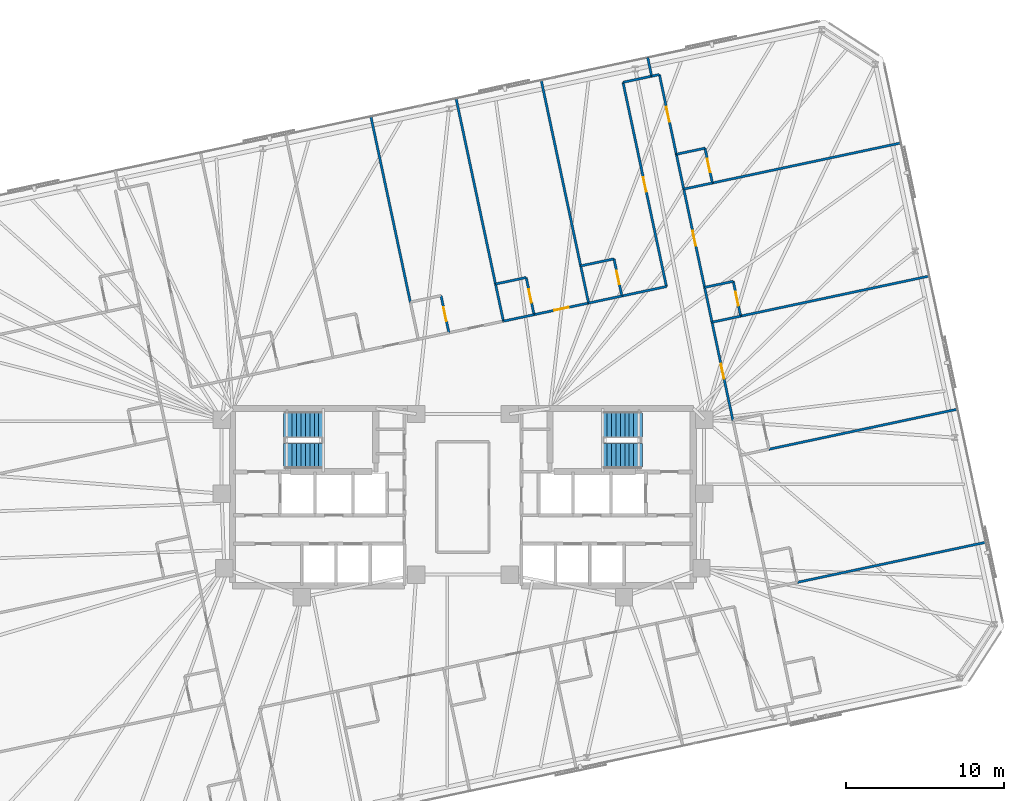
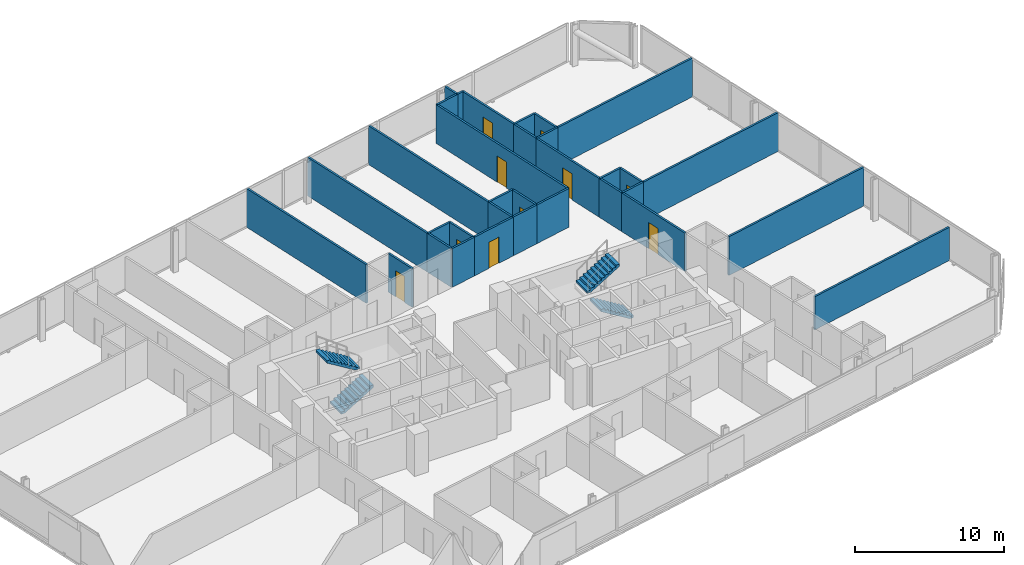
# One storey, part 18 of 20: 33 walls, 10 doors, 4 stair flights, 10 openings, 2 elements without a shape of their own.
"""IFC4 building model written with IfcOpenShell, lengths in metres."""

from ifc_helpers import new_model, si_unit, direction, frame, frame_2d, origin, place, context, subcontext, project, spatial, polyline, rectangle, outline, extrude, material, layer, layer_set, type_object, element, fill, aggregate, save


model = new_model("IFC4")

# Units and contexts
model_context = context("Model", 3, precision=1e-05, world=origin(), true_north=direction((0.0, 1.0)))
body_context = subcontext(model_context, "Body", "Model", "MODEL_VIEW")
ifc_project = project(units=[si_unit("LENGTHUNIT", "METRE"), si_unit("AREAUNIT", "SQUARE_METRE"), si_unit("VOLUMEUNIT", "CUBIC_METRE"), si_unit("PLANEANGLEUNIT", "RADIAN"), si_unit("MASSUNIT", "GRAM", prefix="KILO")], contexts=[model_context])

# Site, building, storey
site_placement = place(None, origin())
site = spatial("IfcSite", under=ifc_project, at=site_placement, CompositionType="ELEMENT")
building_placement = place(site_placement, origin())
building = spatial("IfcBuilding", under=site, at=building_placement, Name="Menara Jurai Vektor", CompositionType="ELEMENT")
storey_placement = place(building_placement, frame((0.0, 0.0, 178.60009765625)))
storey = spatial("IfcBuildingStorey", under=building, at=storey_placement, Name="L46", CompositionType="ELEMENT", Elevation=178.60009765625)

# Wall, opening, door
ifc_material_1 = material(Name="Gypsum Fireboard Partition", Category="gypsum")
ifc_layer_1 = layer(ifc_material_1, 0.14990234375)
ifc_layer_set_1 = layer_set([ifc_layer_1], Name="Gypsum Fireboard Partition")
wall_type_1 = type_object("IfcWallType", Name="INT-WALL-CORR-150", PredefinedType="PARTITIONING", material=ifc_layer_set_1)
wall_1_placement = place(storey_placement, frame((4.497802734375, 11.52978515625, 0.0), z_axis=(0.0, 0.0, 1.0), x_axis=(0.978135941404, 0.207966536089, 0.0)))
wall_1 = element("IfcWall", 1, at=wall_1_placement, inside=storey, type_object=wall_type_1, Name="Interior Wall IW-150 L46", PredefinedType="PARTITIONING", context=body_context, shape_type="SweptSolid", body=[
    extrude(rectangle(XDim=3.521728515625, YDim=0.14990234375, at=frame_2d((1.7607421875, 0.0))), origin(), (0.0, 0.0, 1.0), 3.1748046875),
])
opening_1_placement = place(wall_1_placement, frame((1.301025390625, 0.0, 0.0)))
opening_1 = element("IfcOpeningElement", 2, at=opening_1_placement, cuts=wall_1, Name="Opening D46-16", PredefinedType="OPENING", context=body_context, shape_type="SweptSolid", body=[
    extrude(rectangle(XDim=0.919921875, YDim=2.14990234375, at=frame_2d((0.4599609375, 1.074951171875))), frame((0.0, 0.0849609375, 0.0), z_axis=(0.0, -1.0, 0.0), x_axis=(1.0, 0.0, 0.0)), (0.0, 0.0, 1.0), 0.169921875),
])
ifc_material_2 = material(Name="Solid Core Timber Fire Door", Category="wood")
door_type_1 = type_object("IfcDoorType", Name="DR-ENTRY-950", OperationType="NOTDEFINED", PredefinedType="DOOR", material=ifc_material_2)
door_1_placement = place(opening_1_placement, origin())
door_1 = element("IfcDoor", 3, at=door_1_placement, inside=storey, type_object=door_type_1, Name="Interior Door D46-16", OperationType="SINGLE_SWING_LEFT", OverallHeight=2.14990234375, OverallWidth=0.919921875, PredefinedType="DOOR", context=body_context, shape_type="SweptSolid", body=[
    extrude(rectangle(XDim=0.919921875, YDim=2.14990234375, at=frame_2d((0.4599609375, 1.074951171875))), frame((0.0, 0.02490234375, 0.0), z_axis=(0.0, -1.0, 0.0), x_axis=(1.0, 0.0, 0.0)), (0.0, 0.0, 1.0), 0.050048828125),
])
fill(opening_1, door_1)

# Walls
wall_2_placement = place(storey_placement, frame((2.56005859375, 11.117919921875, 0.0), z_axis=(0.0, 0.0, 1.0), x_axis=(0.978149140323, 0.20790444749, 0.0)))
element("IfcWall", 4, at=wall_2_placement, inside=storey, type_object=wall_type_1, Name="Interior Wall IW-150 L46", PredefinedType="PARTITIONING", context=body_context, shape_type="SweptSolid", body=[
    extrude(rectangle(XDim=1.98095703125, YDim=0.14990234375, at=frame_2d((0.990478515625, 0.0))), origin(), (0.0, 0.0, 1.0), 3.1748046875),
])
wall_3_placement = place(storey_placement, frame((10.045654296875, 12.709228515625, 0.0), z_axis=(0.0, 0.0, 1.0), x_axis=(0.97816208355, 0.207843542851, 0.0)))
element("IfcWall", 5, at=wall_3_placement, inside=storey, type_object=wall_type_1, Name="Interior Wall IW-150 L46", PredefinedType="PARTITIONING", context=body_context, shape_type="SweptSolid", body=[
    extrude(rectangle(XDim=2.879150390625, YDim=0.14990234375, at=frame_2d((1.439453125, 0.0))), origin(), (0.0, 0.0, 1.0), 3.1748046875),
])

# Wall, opening, door
wall_4_placement = place(storey_placement, frame((12.86181640625, 13.3076171875, 0.0), z_axis=(0.0, 0.0, 1.0), x_axis=(-0.207911421929, 0.978147657888, 0.0)))
wall_4 = element("IfcWall", 6, at=wall_4_placement, inside=storey, type_object=wall_type_1, Name="Interior Wall IW-150 L46", PredefinedType="PARTITIONING", context=body_context, shape_type="SweptSolid", body=[
    extrude(rectangle(XDim=13.195068359375, YDim=0.14990234375, at=frame_2d((6.59765625, 0.0))), origin(), (0.0, 0.0, 1.0), 3.1748046875),
])
opening_2_placement = place(wall_4_placement, frame((6.137451171875, 0.0, 0.0)))
opening_2 = element("IfcOpeningElement", 7, at=opening_2_placement, cuts=wall_4, Name="Opening D46-18", PredefinedType="OPENING", context=body_context, shape_type="SweptSolid", body=[
    extrude(rectangle(XDim=0.919921875, YDim=2.14990234375, at=frame_2d((0.4599609375, 1.074951171875))), frame((0.0, 0.0849609375, 0.0), z_axis=(0.0, -1.0, 0.0), x_axis=(1.0, 0.0, 0.0)), (0.0, 0.0, 1.0), 0.169921875),
])
door_2_placement = place(opening_2_placement, origin())
door_2 = element("IfcDoor", 8, at=door_2_placement, inside=storey, type_object=door_type_1, Name="Interior Door D46-18", OperationType="SINGLE_SWING_LEFT", OverallHeight=2.14990234375, OverallWidth=0.919921875, PredefinedType="DOOR", context=body_context, shape_type="SweptSolid", body=[
    extrude(rectangle(XDim=0.919921875, YDim=2.14990234375, at=frame_2d((0.4599609375, 1.074951171875))), frame((0.0, 0.02490234375, 0.0), z_axis=(0.0, -1.0, 0.0), x_axis=(1.0, 0.0, 0.0)), (0.0, 0.0, 1.0), 0.050048828125),
])
fill(opening_2, door_2)

# Walls
wall_5_placement = place(storey_placement, frame((10.118408203125, 26.21435546875, 0.0), z_axis=(0.0, 0.0, 1.0), x_axis=(0.978133353907, 0.20797870558, 0.0)))
element("IfcWall", 9, at=wall_5_placement, inside=storey, type_object=wall_type_1, Name="Interior Wall IW-150 L46", PredefinedType="PARTITIONING", context=body_context, shape_type="SweptSolid", body=[
    extrude(rectangle(XDim=1.85009765625, YDim=0.14990234375, at=frame_2d((0.925048828125, 0.0))), origin(), (0.0, 0.0, 1.0), 3.1748046875),
])
wall_6_placement = place(storey_placement, frame((7.942626953125, 12.26220703125, 0.0), z_axis=(0.0, 0.0, 1.0), x_axis=(0.978146728319, 0.207915795165, 0.0)))
element("IfcWall", 10, at=wall_6_placement, inside=storey, type_object=wall_type_1, Name="Interior Wall IW-150 L46", PredefinedType="PARTITIONING", context=body_context, shape_type="SweptSolid", body=[
    extrude(rectangle(XDim=2.14990234375, YDim=0.14990234375, at=frame_2d((1.074951171875, 0.0))), origin(), (0.0, 0.0, 1.0), 3.1748046875),
])

# Wall, opening, door
wall_7_placement = place(storey_placement, frame((17.06396484375, 4.84130859375, 0.0), z_axis=(0.0, 0.0, 1.0), x_axis=(-0.207924511115, 0.978144875608, 0.0)))
wall_7 = element("IfcWall", 11, at=wall_7_placement, inside=storey, type_object=wall_type_1, Name="Interior Wall IW-150 L46", PredefinedType="PARTITIONING", context=body_context, shape_type="SweptSolid", body=[
    extrude(rectangle(XDim=6.349853515625, YDim=0.14990234375, at=frame_2d((3.1748046875, 0.0))), origin(), (0.0, 0.0, 1.0), 3.1748046875),
])
opening_3_placement = place(wall_7_placement, frame((2.699951171875, 0.0, 0.0)))
opening_3 = element("IfcOpeningElement", 12, at=opening_3_placement, cuts=wall_7, Name="Opening D46-43", PredefinedType="OPENING", context=body_context, shape_type="SweptSolid", body=[
    extrude(rectangle(XDim=0.949951171875, YDim=2.14990234375, at=frame_2d((0.47509765625, 1.074951171875))), frame((0.0, 0.0849609375, 0.0), z_axis=(0.0, -1.0, 0.0), x_axis=(1.0, 0.0, 0.0)), (0.0, 0.0, 1.0), 0.169921875),
])
door_3_placement = place(opening_3_placement, origin())
door_3 = element("IfcDoor", 13, at=door_3_placement, inside=storey, type_object=door_type_1, Name="Interior Door D46-43", OperationType="SINGLE_SWING_RIGHT", OverallHeight=2.14990234375, OverallWidth=0.949951171875, PredefinedType="DOOR", context=body_context, shape_type="SweptSolid", body=[
    extrude(rectangle(XDim=0.949951171875, YDim=2.14990234375, at=frame_2d((0.47509765625, 1.074951171875))), frame((0.0, 0.02490234375, 0.0), z_axis=(0.0, -1.0, 0.0), x_axis=(1.0, 0.0, 0.0)), (0.0, 0.0, 1.0), 0.050048828125),
])
fill(opening_3, door_3)

wall_8_placement = place(storey_placement, frame((15.27587890625, 13.25341796875, 0.0), z_axis=(0.0, 0.0, 1.0), x_axis=(-0.207924511115, 0.978144875608, 0.0)))
wall_8 = element("IfcWall", 14, at=wall_8_placement, inside=storey, type_object=wall_type_1, Name="Interior Wall IW-150 L46", PredefinedType="PARTITIONING", context=body_context, shape_type="SweptSolid", body=[
    extrude(rectangle(XDim=6.349853515625, YDim=0.14990234375, at=frame_2d((3.1748046875, 0.0))), origin(), (0.0, 0.0, 1.0), 3.1748046875),
])
opening_4_placement = place(wall_8_placement, frame((2.699951171875, 0.0, 0.0)))
opening_4 = element("IfcOpeningElement", 15, at=opening_4_placement, cuts=wall_8, Name="Opening D46-45", PredefinedType="OPENING", context=body_context, shape_type="SweptSolid", body=[
    extrude(rectangle(XDim=0.949951171875, YDim=2.14990234375, at=frame_2d((0.47509765625, 1.074951171875))), frame((0.0, 0.0849609375, 0.0), z_axis=(0.0, -1.0, 0.0), x_axis=(1.0, 0.0, 0.0)), (0.0, 0.0, 1.0), 0.169921875),
])
door_4_placement = place(opening_4_placement, origin())
door_4 = element("IfcDoor", 16, at=door_4_placement, inside=storey, type_object=door_type_1, Name="Interior Door D46-45", OperationType="SINGLE_SWING_RIGHT", OverallHeight=2.14990234375, OverallWidth=0.949951171875, PredefinedType="DOOR", context=body_context, shape_type="SweptSolid", body=[
    extrude(rectangle(XDim=0.949951171875, YDim=2.14990234375, at=frame_2d((0.47509765625, 1.074951171875))), frame((0.0, 0.02490234375, 0.0), z_axis=(0.0, -1.0, 0.0), x_axis=(1.0, 0.0, 0.0)), (0.0, 0.0, 1.0), 0.050048828125),
])
fill(opening_4, door_4)

# Walls
wall_9_placement = place(storey_placement, frame((15.74365234375, 11.052490234375, 0.0), z_axis=(0.0, 0.0, 1.0), x_axis=(-0.207891197838, 0.978151956427, 0.0)))
element("IfcWall", 17, at=wall_9_placement, inside=storey, type_object=wall_type_1, Name="Interior Wall IW-150 L46", PredefinedType="PARTITIONING", context=body_context, shape_type="SweptSolid", body=[
    extrude(rectangle(XDim=2.25, YDim=0.14990234375, at=frame_2d((1.125, 0.0))), origin(), (0.0, 0.0, 1.0), 3.1748046875),
])
wall_10_placement = place(storey_placement, frame((11.927978515625, 26.59912109375, 0.0), z_axis=(0.0, 0.0, 1.0), x_axis=(0.97822210712, 0.207560856478, 0.0)))
element("IfcWall", 18, at=wall_10_placement, inside=storey, type_object=wall_type_1, Name="Interior Wall IW-150 L46", PredefinedType="PARTITIONING", context=body_context, shape_type="SweptSolid", body=[
    extrude(rectangle(XDim=0.5, YDim=0.14990234375, at=frame_2d((0.25, 0.0))), origin(), (0.0, 0.0, 1.0), 3.1748046875),
])

# Wall, opening, door
wall_11_placement = place(storey_placement, frame((13.48779296875, 21.66552734375, 0.0), z_axis=(0.0, 0.0, 1.0), x_axis=(-0.207926226209, 0.978144511028, 0.0)))
wall_11 = element("IfcWall", 19, at=wall_11_placement, inside=storey, type_object=wall_type_1, Name="Interior Wall IW-150 L46", PredefinedType="PARTITIONING", context=body_context, shape_type="SweptSolid", body=[
    extrude(rectangle(XDim=5.14990234375, YDim=0.14990234375, at=frame_2d((2.574951171875, 0.0))), origin(), (0.0, 0.0, 1.0), 3.1748046875),
])
opening_5_placement = place(wall_11_placement, frame((2.10009765625, 0.0, 0.0)))
opening_5 = element("IfcOpeningElement", 20, at=opening_5_placement, cuts=wall_11, Name="Opening D46-47", PredefinedType="OPENING", context=body_context, shape_type="SweptSolid", body=[
    extrude(rectangle(XDim=0.949951171875, YDim=2.14990234375, at=frame_2d((0.47509765625, 1.074951171875))), frame((0.0, 0.0849609375, 0.0), z_axis=(0.0, -1.0, 0.0), x_axis=(1.0, 0.0, 0.0)), (0.0, 0.0, 1.0), 0.169921875),
])
door_5_placement = place(opening_5_placement, origin())
door_5 = element("IfcDoor", 21, at=door_5_placement, inside=storey, type_object=door_type_1, Name="Interior Door D46-47", OperationType="SINGLE_SWING_RIGHT", OverallHeight=2.14990234375, OverallWidth=0.949951171875, PredefinedType="DOOR", context=body_context, shape_type="SweptSolid", body=[
    extrude(rectangle(XDim=0.949951171875, YDim=2.14990234375, at=frame_2d((0.47509765625, 1.074951171875))), frame((0.0, 0.02490234375, 0.0), z_axis=(0.0, -1.0, 0.0), x_axis=(1.0, 0.0, 0.0)), (0.0, 0.0, 1.0), 0.050048828125),
])
fill(opening_5, door_5)

# Walls
wall_12_placement = place(storey_placement, frame((13.95556640625, 19.464599609375, 0.0), z_axis=(0.0, 0.0, 1.0), x_axis=(-0.207891197838, 0.978151956427, 0.0)))
element("IfcWall", 22, at=wall_12_placement, inside=storey, type_object=wall_type_1, Name="Interior Wall IW-150 L46", PredefinedType="PARTITIONING", context=body_context, shape_type="SweptSolid", body=[
    extrude(rectangle(XDim=2.25, YDim=0.14990234375, at=frame_2d((1.125, 0.0))), origin(), (0.0, 0.0, 1.0), 3.1748046875),
])
wall_13_placement = place(storey_placement, frame((-3.32177734375, 12.3212890625, 0.0), z_axis=(0.0, 0.0, 1.0), x_axis=(-0.207910848762, 0.978147779718, 0.0)))
element("IfcWall", 23, at=wall_13_placement, inside=storey, type_object=wall_type_1, Name="Interior Wall IW-150 L46", PredefinedType="PARTITIONING", context=body_context, shape_type="SweptSolid", body=[
    extrude(rectangle(XDim=11.9951171875, YDim=0.14990234375, at=frame_2d((5.99755859375, 0.0))), origin(), (0.0, 0.0, 1.0), 3.1748046875),
])

# Wall, opening, door
wall_14_placement = place(storey_placement, frame((-0.885009765625, 10.3857421875, 0.0), z_axis=(0.0, 0.0, 1.0), x_axis=(-0.207917150959, 0.978146440129, 0.0)))
wall_14 = element("IfcWall", 24, at=wall_14_placement, inside=storey, type_object=wall_type_1, Name="Interior Wall IW-150 L46", PredefinedType="PARTITIONING", context=body_context, shape_type="SweptSolid", body=[
    extrude(rectangle(XDim=2.400146484375, YDim=0.14990234375, at=frame_2d((1.2001953125, 0.0))), origin(), (0.0, 0.0, 1.0), 3.1748046875),
])
opening_6_placement = place(wall_14_placement, frame((0.760009765625, 0.0, 0.0)))
opening_6 = element("IfcOpeningElement", 25, at=opening_6_placement, cuts=wall_14, Name="Opening D46-15", PredefinedType="OPENING", context=body_context, shape_type="SweptSolid", body=[
    extrude(rectangle(XDim=0.8798828125, YDim=2.14990234375, at=frame_2d((0.43994140625, 1.074951171875))), frame((0.0, 0.0849609375, 0.0), z_axis=(0.0, -1.0, 0.0), x_axis=(1.0, 0.0, 0.0)), (0.0, 0.0, 1.0), 0.169921875),
])
ifc_material_3 = material(Name="Moisture-Resistant Timber Door", Category="wood")
door_type_2 = type_object("IfcDoorType", Name="DR-BATH-880", OperationType="NOTDEFINED", PredefinedType="DOOR", material=ifc_material_3)
door_6_placement = place(opening_6_placement, origin())
door_6 = element("IfcDoor", 26, at=door_6_placement, inside=storey, type_object=door_type_2, Name="Interior Door D46-15", OperationType="SINGLE_SWING_RIGHT", OverallHeight=2.14990234375, OverallWidth=0.8798828125, PredefinedType="DOOR", context=body_context, shape_type="SweptSolid", body=[
    extrude(rectangle(XDim=0.8798828125, YDim=2.14990234375, at=frame_2d((0.43994140625, 1.074951171875))), frame((0.0, 0.02490234375, 0.0), z_axis=(0.0, -1.0, 0.0), x_axis=(1.0, 0.0, 0.0)), (0.0, 0.0, 1.0), 0.050048828125),
])
fill(opening_6, door_6)

# Walls
wall_15_placement = place(storey_placement, frame((2.06103515625, 13.465576171875, 0.0), z_axis=(0.0, 0.0, 1.0), x_axis=(-0.207910848762, 0.978147779718, 0.0)))
element("IfcWall", 27, at=wall_15_placement, inside=storey, type_object=wall_type_1, Name="Interior Wall IW-150 L46", PredefinedType="PARTITIONING", context=body_context, shape_type="SweptSolid", body=[
    extrude(rectangle(XDim=11.9951171875, YDim=0.14990234375, at=frame_2d((5.99755859375, 0.0))), origin(), (0.0, 0.0, 1.0), 3.1748046875),
])
wall_16_placement = place(storey_placement, frame((2.56005859375, 11.117919921875, 0.0), z_axis=(0.0, 0.0, 1.0), x_axis=(-0.207917150959, 0.978146440129, 0.0)))
element("IfcWall", 28, at=wall_16_placement, inside=storey, type_object=wall_type_1, Name="Interior Wall IW-150 L46", PredefinedType="PARTITIONING", context=body_context, shape_type="SweptSolid", body=[
    extrude(rectangle(XDim=2.400146484375, YDim=0.14990234375, at=frame_2d((1.2001953125, 0.0))), origin(), (0.0, 0.0, 1.0), 3.1748046875),
])
wall_17_placement = place(storey_placement, frame((2.06103515625, 13.465576171875, 0.0), z_axis=(0.0, 0.0, 1.0), x_axis=(0.978149140323, 0.20790444749, 0.0)))
element("IfcWall", 29, at=wall_17_placement, inside=storey, type_object=wall_type_1, Name="Interior Wall IW-150 L46", PredefinedType="PARTITIONING", context=body_context, shape_type="SweptSolid", body=[
    extrude(rectangle(XDim=1.98095703125, YDim=0.14990234375, at=frame_2d((0.990478515625, 0.0))), origin(), (0.0, 0.0, 1.0), 3.1748046875),
])

# Wall, opening, door
wall_18_placement = place(storey_placement, frame((4.497802734375, 11.52978515625, 0.0), z_axis=(0.0, 0.0, 1.0), x_axis=(-0.207917150959, 0.978146440129, 0.0)))
wall_18 = element("IfcWall", 30, at=wall_18_placement, inside=storey, type_object=wall_type_1, Name="Interior Wall IW-150 L46", PredefinedType="PARTITIONING", context=body_context, shape_type="SweptSolid", body=[
    extrude(rectangle(XDim=2.400146484375, YDim=0.14990234375, at=frame_2d((1.2001953125, 0.0))), origin(), (0.0, 0.0, 1.0), 3.1748046875),
])
opening_7_placement = place(wall_18_placement, frame((0.760009765625, 0.0, 0.0)))
opening_7 = element("IfcOpeningElement", 31, at=opening_7_placement, cuts=wall_18, Name="Opening D46-17", PredefinedType="OPENING", context=body_context, shape_type="SweptSolid", body=[
    extrude(rectangle(XDim=0.8798828125, YDim=2.14990234375, at=frame_2d((0.43994140625, 1.074951171875))), frame((0.0, 0.0849609375, 0.0), z_axis=(0.0, -1.0, 0.0), x_axis=(1.0, 0.0, 0.0)), (0.0, 0.0, 1.0), 0.169921875),
])
door_7_placement = place(opening_7_placement, origin())
door_7 = element("IfcDoor", 32, at=door_7_placement, inside=storey, type_object=door_type_2, Name="Interior Door D46-17", OperationType="SINGLE_SWING_RIGHT", OverallHeight=2.14990234375, OverallWidth=0.8798828125, PredefinedType="DOOR", context=body_context, shape_type="SweptSolid", body=[
    extrude(rectangle(XDim=0.8798828125, YDim=2.14990234375, at=frame_2d((0.43994140625, 1.074951171875))), frame((0.0, 0.02490234375, 0.0), z_axis=(0.0, -1.0, 0.0), x_axis=(1.0, 0.0, 0.0)), (0.0, 0.0, 1.0), 0.050048828125),
])
fill(opening_7, door_7)

# Walls
wall_19_placement = place(storey_placement, frame((7.443603515625, 14.609619140625, 0.0), z_axis=(0.0, 0.0, 1.0), x_axis=(-0.207910848762, 0.978147779718, 0.0)))
element("IfcWall", 33, at=wall_19_placement, inside=storey, type_object=wall_type_1, Name="Interior Wall IW-150 L46", PredefinedType="PARTITIONING", context=body_context, shape_type="SweptSolid", body=[
    extrude(rectangle(XDim=11.9951171875, YDim=0.14990234375, at=frame_2d((5.99755859375, 0.0))), origin(), (0.0, 0.0, 1.0), 3.1748046875),
])
wall_20_placement = place(storey_placement, frame((7.942626953125, 12.26220703125, 0.0), z_axis=(0.0, 0.0, 1.0), x_axis=(-0.207937840262, 0.978142042133, 0.0)))
element("IfcWall", 34, at=wall_20_placement, inside=storey, type_object=wall_type_1, Name="Interior Wall IW-150 L46", PredefinedType="PARTITIONING", context=body_context, shape_type="SweptSolid", body=[
    extrude(rectangle(XDim=2.39990234375, YDim=0.14990234375, at=frame_2d((1.199951171875, 0.0))), origin(), (0.0, 0.0, 1.0), 3.1748046875),
])
wall_21_placement = place(storey_placement, frame((7.443603515625, 14.609619140625, 0.0), z_axis=(0.0, 0.0, 1.0), x_axis=(0.978151636287, 0.207892704126, 0.0)))
element("IfcWall", 35, at=wall_21_placement, inside=storey, type_object=wall_type_1, Name="Interior Wall IW-150 L46", PredefinedType="PARTITIONING", context=body_context, shape_type="SweptSolid", body=[
    extrude(rectangle(XDim=2.150146484375, YDim=0.14990234375, at=frame_2d((1.0751953125, 0.0))), origin(), (0.0, 0.0, 1.0), 3.1748046875),
])

# Wall, opening, door
wall_22_placement = place(storey_placement, frame((10.045654296875, 12.709228515625, 0.0), z_axis=(0.0, 0.0, 1.0), x_axis=(-0.207840504985, 0.978162729042, 0.0)))
wall_22 = element("IfcWall", 36, at=wall_22_placement, inside=storey, type_object=wall_type_1, Name="Interior Wall IW-150 L46", PredefinedType="PARTITIONING", context=body_context, shape_type="SweptSolid", body=[
    extrude(rectangle(XDim=2.39990234375, YDim=0.14990234375, at=frame_2d((1.199951171875, 0.0))), origin(), (0.0, 0.0, 1.0), 3.1748046875),
])
opening_8_placement = place(wall_22_placement, frame((0.760009765625, 0.0, 0.0)))
opening_8 = element("IfcOpeningElement", 37, at=opening_8_placement, cuts=wall_22, Name="Opening D46-19", PredefinedType="OPENING", context=body_context, shape_type="SweptSolid", body=[
    extrude(rectangle(XDim=0.8798828125, YDim=2.14990234375, at=frame_2d((0.43994140625, 1.074951171875))), frame((0.0, 0.0849609375, 0.0), z_axis=(0.0, -1.0, 0.0), x_axis=(1.0, 0.0, 0.0)), (0.0, 0.0, 1.0), 0.169921875),
])
door_8_placement = place(opening_8_placement, origin())
door_8 = element("IfcDoor", 38, at=door_8_placement, inside=storey, type_object=door_type_2, Name="Interior Door D46-19", OperationType="SINGLE_SWING_RIGHT", OverallHeight=2.14990234375, OverallWidth=0.8798828125, PredefinedType="DOOR", context=body_context, shape_type="SweptSolid", body=[
    extrude(rectangle(XDim=0.8798828125, YDim=2.14990234375, at=frame_2d((0.43994140625, 1.074951171875))), frame((0.0, 0.02490234375, 0.0), z_axis=(0.0, -1.0, 0.0), x_axis=(1.0, 0.0, 0.0)), (0.0, 0.0, 1.0), 0.050048828125),
])
fill(opening_8, door_8)

# Walls
wall_23_placement = place(storey_placement, frame((11.927978515625, 26.59912109375, 0.0), z_axis=(0.0, 0.0, 1.0), x_axis=(-0.20795853359, 0.978137642823, 0.0)))
element("IfcWall", 39, at=wall_23_placement, inside=storey, type_object=wall_type_1, Name="Interior Wall IW-150 L46", PredefinedType="PARTITIONING", context=body_context, shape_type="SweptSolid", body=[
    extrude(rectangle(XDim=1.19970703125, YDim=0.14990234375, at=frame_2d((0.599853515625, 0.0))), origin(), (0.0, 0.0, 1.0), 3.1748046875),
])
for number, where, z_axis, x_axis, name in (
    (40, (19.34130859375, 3.025146484375, 0.0), (0.0, 0.0, 1.0), (0.97814556055, 0.207921288896, 0.0), "Interior Wall IW-150 L46"),
    (41, (17.55322265625, 11.437255859375, 0.0), (0.0, 0.0, 1.0), (0.97814556055, 0.207921288896, 0.0), "Interior Wall IW-150 L46"),
):
    element("IfcWall", number, at=place(storey_placement, frame(where, z_axis=z_axis, x_axis=x_axis)), inside=storey, type_object=wall_type_1, Name=name, PredefinedType="PARTITIONING", context=body_context, shape_type="SweptSolid", body=[
        extrude(rectangle(XDim=12.18701171875, YDim=0.14990234375, at=frame_2d((6.093505859375, 0.0))), origin(), (0.0, 0.0, 1.0), 3.1748046875),
    ])
for number, where, z_axis, x_axis, name in (
    (42, (15.74365234375, 11.052490234375, 0.0), (0.0, 0.0, 1.0), (0.978133353907, 0.20797870558, 0.0), "Interior Wall IW-150 L46"),
    (43, (15.27587890625, 13.25341796875, 0.0), (0.0, 0.0, 1.0), (0.978133353907, 0.20797870558, 0.0), "Interior Wall IW-150 L46"),
):
    element("IfcWall", number, at=place(storey_placement, frame(where, z_axis=z_axis, x_axis=x_axis)), inside=storey, type_object=wall_type_1, Name=name, PredefinedType="PARTITIONING", context=body_context, shape_type="SweptSolid", body=[
        extrude(rectangle(XDim=1.85009765625, YDim=0.14990234375, at=frame_2d((0.925048828125, 0.0))), origin(), (0.0, 0.0, 1.0), 3.1748046875),
    ])

# Wall, opening, door
wall_24_placement = place(storey_placement, frame((17.55322265625, 11.437255859375, 0.0), z_axis=(0.0, 0.0, 1.0), x_axis=(-0.207891197838, 0.978151956427, 0.0)))
wall_24 = element("IfcWall", 44, at=wall_24_placement, inside=storey, type_object=wall_type_1, Name="Interior Wall IW-150 L46", PredefinedType="PARTITIONING", context=body_context, shape_type="SweptSolid", body=[
    extrude(rectangle(XDim=2.25, YDim=0.14990234375, at=frame_2d((1.125, 0.0))), origin(), (0.0, 0.0, 1.0), 3.1748046875),
])
opening_9_placement = place(wall_24_placement, frame((0.68505859375, 0.0, 0.0)))
opening_9 = element("IfcOpeningElement", 45, at=opening_9_placement, cuts=wall_24, Name="Opening D46-46", PredefinedType="OPENING", context=body_context, shape_type="SweptSolid", body=[
    extrude(rectangle(XDim=0.8798828125, YDim=2.14990234375, at=frame_2d((0.43994140625, 1.074951171875))), frame((0.0, 0.0849609375, 0.0), z_axis=(0.0, -1.0, 0.0), x_axis=(1.0, 0.0, 0.0)), (0.0, 0.0, 1.0), 0.169921875),
])
door_9_placement = place(opening_9_placement, origin())
door_9 = element("IfcDoor", 46, at=door_9_placement, inside=storey, type_object=door_type_2, Name="Interior Door D46-46", OperationType="SINGLE_SWING_LEFT", OverallHeight=2.14990234375, OverallWidth=0.8798828125, PredefinedType="DOOR", context=body_context, shape_type="SweptSolid", body=[
    extrude(rectangle(XDim=0.8798828125, YDim=2.14990234375, at=frame_2d((0.43994140625, 1.074951171875))), frame((0.0, 0.02490234375, 0.0), z_axis=(0.0, -1.0, 0.0), x_axis=(1.0, 0.0, 0.0)), (0.0, 0.0, 1.0), 0.050048828125),
])
fill(opening_9, door_9)

# Walls
wall_25_placement = place(storey_placement, frame((15.76513671875, 19.849365234375, 0.0), z_axis=(0.0, 0.0, 1.0), x_axis=(0.978149634612, 0.207902121941, 0.0)))
element("IfcWall", 47, at=wall_25_placement, inside=storey, type_object=wall_type_1, Name="Interior Wall IW-150 L46", PredefinedType="PARTITIONING", context=body_context, shape_type="SweptSolid", body=[
    extrude(rectangle(XDim=12.18701171875, YDim=0.14990234375, at=frame_2d((6.093505859375, 0.0))), origin(), (0.0, 0.0, 1.0), 3.1748046875),
])
for number, where, z_axis, x_axis, name in (
    (48, (13.95556640625, 19.464599609375, 0.0), (0.0, 0.0, 1.0), (0.978133353907, 0.20797870558, 0.0), "Interior Wall IW-150 L46"),
    (49, (13.48779296875, 21.66552734375, 0.0), (0.0, 0.0, 1.0), (0.978133353907, 0.20797870558, 0.0), "Interior Wall IW-150 L46"),
):
    element("IfcWall", number, at=place(storey_placement, frame(where, z_axis=z_axis, x_axis=x_axis)), inside=storey, type_object=wall_type_1, Name=name, PredefinedType="PARTITIONING", context=body_context, shape_type="SweptSolid", body=[
        extrude(rectangle(XDim=1.85009765625, YDim=0.14990234375, at=frame_2d((0.925048828125, 0.0))), origin(), (0.0, 0.0, 1.0), 3.1748046875),
    ])

# Wall, opening, door
wall_26_placement = place(storey_placement, frame((15.76513671875, 19.849365234375, 0.0), z_axis=(0.0, 0.0, 1.0), x_axis=(-0.207891197838, 0.978151956427, 0.0)))
wall_26 = element("IfcWall", 50, at=wall_26_placement, inside=storey, type_object=wall_type_1, Name="Interior Wall IW-150 L46", PredefinedType="PARTITIONING", context=body_context, shape_type="SweptSolid", body=[
    extrude(rectangle(XDim=2.25, YDim=0.14990234375, at=frame_2d((1.125, 0.0))), origin(), (0.0, 0.0, 1.0), 3.1748046875),
])
opening_10_placement = place(wall_26_placement, frame((0.68505859375, 0.0, 0.0)))
opening_10 = element("IfcOpeningElement", 51, at=opening_10_placement, cuts=wall_26, Name="Opening D46-48", PredefinedType="OPENING", context=body_context, shape_type="SweptSolid", body=[
    extrude(rectangle(XDim=0.8798828125, YDim=2.14990234375, at=frame_2d((0.43994140625, 1.074951171875))), frame((0.0, 0.0849609375, 0.0), z_axis=(0.0, -1.0, 0.0), x_axis=(1.0, 0.0, 0.0)), (0.0, 0.0, 1.0), 0.169921875),
])
door_10_placement = place(opening_10_placement, origin())
door_10 = element("IfcDoor", 52, at=door_10_placement, inside=storey, type_object=door_type_2, Name="Interior Door D46-48", OperationType="SINGLE_SWING_LEFT", OverallHeight=2.14990234375, OverallWidth=0.8798828125, PredefinedType="DOOR", context=body_context, shape_type="SweptSolid", body=[
    extrude(rectangle(XDim=0.8798828125, YDim=2.14990234375, at=frame_2d((0.43994140625, 1.074951171875))), frame((0.0, 0.02490234375, 0.0), z_axis=(0.0, -1.0, 0.0), x_axis=(1.0, 0.0, 0.0)), (0.0, 0.0, 1.0), 0.050048828125),
])
fill(opening_10, door_10)

# Wall
ifc_layer_2 = layer(ifc_material_1, 0.14990234375)
ifc_layer_set_2 = layer_set([ifc_layer_2], Name="Gypsum Fireboard Partition")
wall_type_2 = type_object("IfcWallType", Name="INT-WALL-CORR-150-H1", PredefinedType="PARTITIONING", material=ifc_layer_set_2)
wall_27_placement = place(storey_placement, frame((21.12939453125, -5.386962890625, 0.0), z_axis=(0.0, 0.0, 1.0), x_axis=(0.97814556055, 0.207921288896, 0.0)))
element("IfcWall", 53, at=wall_27_placement, inside=storey, type_object=wall_type_2, Name="Interior Wall IW-150 L46", PredefinedType="PARTITIONING", context=body_context, shape_type="SweptSolid", body=[
    extrude(rectangle(XDim=12.18701171875, YDim=0.14990234375, at=frame_2d((6.093505859375, 0.0))), origin(), (0.0, 0.0, 1.0), 2.724853515625),
])

# Stair, stair flights
ifc_material_4 = material(Name="Concrete C40/50", Category="concrete")
stair_type = type_object("IfcStairType", Name="STAIR-DOGLEG-1500", PredefinedType="HALF_TURN_STAIR", material=ifc_material_4)
stair_1_placement = place(storey_placement, origin())
stair_1 = element("IfcStair", 54, at=stair_1_placement, inside=storey, type_object=stair_type, Name="Protected Exit Stair ST1 L46", PredefinedType="HALF_TURN_STAIR")
stair_flight_type = type_object("IfcStairFlightType", Name="STAIR-FLIGHT-1500", PredefinedType="STRAIGHT", material=ifc_material_4)
stair_flight_1_placement = place(storey_placement, frame((-11.35009765625, 2.64990234375, 0.0), z_axis=(0.0, 0.0, 1.0), x_axis=(1.0, 0.0, 0.0)))
stair_flight_1 = element("IfcStairFlight", 55, at=stair_flight_1_placement, type_object=stair_flight_type, Name="ST1 flight 1", NumberOfRisers=10, NumberOfTreads=9, PredefinedType="STRAIGHT", RiserHeight=0.17, TreadLength=0.28, context=body_context, shape_type="SweptSolid", body=[
    extrude(outline(polyline([(0.0, 0.0), (0.0, 0.169921875), (0.280029296875, 0.169921875), (0.280029296875, 0.340087890625), (0.56005859375, 0.340087890625), (0.56005859375, 0.510009765625), (0.840087890625, 0.510009765625), (0.840087890625, 0.679931640625), (1.1201171875, 0.679931640625), (1.1201171875, 0.85009765625), (1.39990234375, 0.85009765625), (1.39990234375, 1.02001953125), (1.679931640625, 1.02001953125), (1.679931640625, 1.18994140625), (1.9599609375, 1.18994140625), (1.9599609375, 1.360107421875), (2.239990234375, 1.360107421875), (2.239990234375, 1.530029296875), (2.52001953125, 1.530029296875), (2.52001953125, 1.699951171875), (2.52001953125, 1.343017578125), (0.30810546875, 0.0), (0.0, 0.0)])), frame((0.0, 0.75, 0.0), z_axis=(0.0, -1.0, 0.0), x_axis=(1.0, 0.0, 0.0)), (0.0, 0.0, 1.0), 1.5),
])
stair_flight_2_placement = place(storey_placement, frame((-8.830078125, 4.550048828125, 1.699951171875), z_axis=(0.0, 0.0, 1.0), x_axis=(-1.0, 0.0, 0.0)))
stair_flight_2 = element("IfcStairFlight", 56, at=stair_flight_2_placement, type_object=stair_flight_type, Name="ST1 flight 2", NumberOfRisers=10, NumberOfTreads=9, PredefinedType="STRAIGHT", RiserHeight=0.17, TreadLength=0.28, context=body_context, shape_type="SweptSolid", body=[
    extrude(outline(polyline([(0.0, 0.0), (0.0, 0.169921875), (0.280029296875, 0.169921875), (0.280029296875, 0.340087890625), (0.56005859375, 0.340087890625), (0.56005859375, 0.510009765625), (0.840087890625, 0.510009765625), (0.840087890625, 0.679931640625), (1.1201171875, 0.679931640625), (1.1201171875, 0.85009765625), (1.39990234375, 0.85009765625), (1.39990234375, 1.02001953125), (1.679931640625, 1.02001953125), (1.679931640625, 1.18994140625), (1.9599609375, 1.18994140625), (1.9599609375, 1.360107421875), (2.239990234375, 1.360107421875), (2.239990234375, 1.530029296875), (2.52001953125, 1.530029296875), (2.52001953125, 1.699951171875), (2.52001953125, 1.343017578125), (0.30810546875, 0.0), (0.0, 0.0)])), frame((0.0, 0.75, 0.0), z_axis=(0.0, -1.0, 0.0), x_axis=(1.0, 0.0, 0.0)), (0.0, 0.0, 1.0), 1.5),
])
aggregate(stair_1, [stair_flight_1, stair_flight_2])

stair_2_placement = place(storey_placement, origin())
stair_2 = element("IfcStair", 57, at=stair_2_placement, inside=storey, type_object=stair_type, Name="Protected Exit Stair ST2 L46", PredefinedType="HALF_TURN_STAIR")
stair_flight_3_placement = place(storey_placement, frame((11.35009765625, 2.64990234375, 0.0), z_axis=(0.0, 0.0, 1.0), x_axis=(-1.0, 0.0, 0.0)))
stair_flight_3 = element("IfcStairFlight", 58, at=stair_flight_3_placement, type_object=stair_flight_type, Name="ST2 flight 1", NumberOfRisers=10, NumberOfTreads=9, PredefinedType="STRAIGHT", RiserHeight=0.17, TreadLength=0.28, context=body_context, shape_type="SweptSolid", body=[
    extrude(outline(polyline([(0.0, 0.0), (0.0, 0.169921875), (0.280029296875, 0.169921875), (0.280029296875, 0.340087890625), (0.56005859375, 0.340087890625), (0.56005859375, 0.510009765625), (0.840087890625, 0.510009765625), (0.840087890625, 0.679931640625), (1.1201171875, 0.679931640625), (1.1201171875, 0.85009765625), (1.39990234375, 0.85009765625), (1.39990234375, 1.02001953125), (1.679931640625, 1.02001953125), (1.679931640625, 1.18994140625), (1.9599609375, 1.18994140625), (1.9599609375, 1.360107421875), (2.239990234375, 1.360107421875), (2.239990234375, 1.530029296875), (2.52001953125, 1.530029296875), (2.52001953125, 1.699951171875), (2.52001953125, 1.343017578125), (0.30810546875, 0.0), (0.0, 0.0)])), frame((0.0, 0.75, 0.0), z_axis=(0.0, -1.0, 0.0), x_axis=(1.0, 0.0, 0.0)), (0.0, 0.0, 1.0), 1.5),
])
stair_flight_4_placement = place(storey_placement, frame((8.830078125, 4.550048828125, 1.699951171875), z_axis=(0.0, 0.0, 1.0), x_axis=(1.0, 0.0, 0.0)))
stair_flight_4 = element("IfcStairFlight", 59, at=stair_flight_4_placement, type_object=stair_flight_type, Name="ST2 flight 2", NumberOfRisers=10, NumberOfTreads=9, PredefinedType="STRAIGHT", RiserHeight=0.17, TreadLength=0.28, context=body_context, shape_type="SweptSolid", body=[
    extrude(outline(polyline([(0.0, 0.0), (0.0, 0.169921875), (0.280029296875, 0.169921875), (0.280029296875, 0.340087890625), (0.56005859375, 0.340087890625), (0.56005859375, 0.510009765625), (0.840087890625, 0.510009765625), (0.840087890625, 0.679931640625), (1.1201171875, 0.679931640625), (1.1201171875, 0.85009765625), (1.39990234375, 0.85009765625), (1.39990234375, 1.02001953125), (1.679931640625, 1.02001953125), (1.679931640625, 1.18994140625), (1.9599609375, 1.18994140625), (1.9599609375, 1.360107421875), (2.239990234375, 1.360107421875), (2.239990234375, 1.530029296875), (2.52001953125, 1.530029296875), (2.52001953125, 1.699951171875), (2.52001953125, 1.343017578125), (0.30810546875, 0.0), (0.0, 0.0)])), frame((0.0, 0.75, 0.0), z_axis=(0.0, -1.0, 0.0), x_axis=(1.0, 0.0, 0.0)), (0.0, 0.0, 1.0), 1.5),
])
aggregate(stair_2, [stair_flight_3, stair_flight_4])

save(model, "model.ifc")
